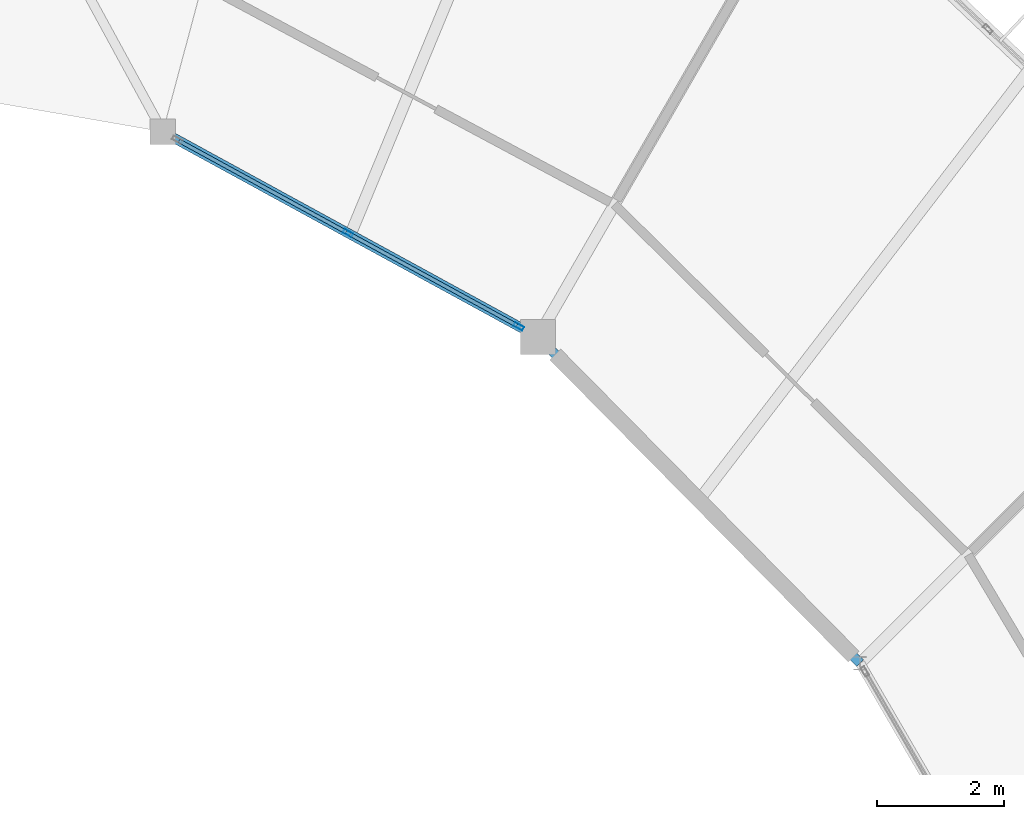
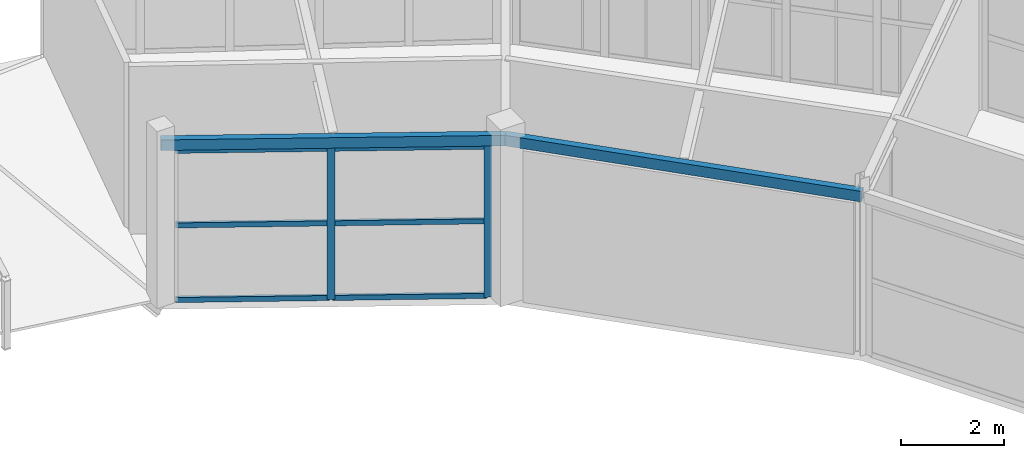
# One storey, part 33 of 66: 8 members, 2 beams, 1 element without a shape of its own.
"""IFC4 building model written with IfcOpenShell, lengths in metres."""

from ifc_helpers import new_model, si_unit, direction, frame, origin, origin_2d, place, context, subcontext, project, spatial, hollow_rectangle, extrude, material, material_profile, profile_set, type_object, element, aggregate, save


model = new_model("IFC4")

# Units and contexts
model_context = context("Model", 3, precision=1e-05, world=origin(), true_north=direction((0.0, 1.0)))
body_context = subcontext(model_context, "Body", "Model", "MODEL_VIEW")
ifc_project = project(units=[si_unit("LENGTHUNIT", "METRE"), si_unit("AREAUNIT", "SQUARE_METRE"), si_unit("VOLUMEUNIT", "CUBIC_METRE"), si_unit("PLANEANGLEUNIT", "RADIAN"), si_unit("MASSUNIT", "GRAM", prefix="KILO")], contexts=[model_context])

# Site, building, storey
site_placement = place(None, origin())
site = spatial("IfcSite", under=ifc_project, at=site_placement, CompositionType="ELEMENT")
building_placement = place(site_placement, origin())
building = spatial("IfcBuilding", under=site, at=building_placement, Name="Karori Crest Natural Sciences Institute", CompositionType="ELEMENT")
storey_placement = place(building_placement, frame((0.0, 0.0, 30.10009765625)))
storey = spatial("IfcBuildingStorey", under=building, at=storey_placement, Name="L07", CompositionType="ELEMENT", Elevation=30.10009765625)

# Beams
ifc_material_1 = material(Name="Hollow structural steel AS/NZS 1163 Grade C350", Category="steel")
ifc_material_profile_1 = material_profile(ifc_material_1, hollow_rectangle(XDim=0.14990234375, YDim=0.25, WallThickness=0.009033203125, at=origin_2d()), Name="RHS250x150x9")
ifc_profile_set_1 = profile_set([ifc_material_profile_1], Name="Hollow structural steel AS/NZS 1163 Grade C350")
beam_type = type_object("IfcBeamType", Name="BT-16", PredefinedType="SPANDREL", material=ifc_profile_set_1)
beam_1_placement = place(storey_placement, frame((83.6533203125, 72.668701171875, 3.739990234375), z_axis=(-0.702645672149, 0.711539921164, 0.0), x_axis=(-0.711539921164, -0.702645672149, 0.0)))
element("IfcBeam", 1, at=beam_1_placement, inside=storey, type_object=beam_type, Name="Beam B-0654", PredefinedType="SPANDREL", context=body_context, shape_type="SweptSolid", body=[
    extrude(hollow_rectangle(XDim=0.14990234375, YDim=0.25, WallThickness=0.009033203125, at=origin_2d()), origin(), (0.0, 0.0, 1.0), 7.191650390625),
])
beam_2_placement = place(storey_placement, frame((78.60009765625, 77.785888671875, 3.739990234375), z_axis=(-0.877469531616, 0.47963238119, 0.0), x_axis=(-0.47963238119, -0.877469531616, 0.0)))
element("IfcBeam", 2, at=beam_2_placement, inside=storey, type_object=beam_type, Name="Beam B-0657", PredefinedType="SPANDREL", context=body_context, shape_type="SweptSolid", body=[
    extrude(hollow_rectangle(XDim=0.14990234375, YDim=0.25, WallThickness=0.009033203125, at=origin_2d()), origin(), (0.0, 0.0, 1.0), 6.706787109375),
])

# Curtain wall, members
ifc_material_2 = material(Name="Anodised architectural aluminium 6063-T6", Category="aluminium")
curtain_wall_type = type_object("IfcCurtainWallType", Name="CWT-15", PredefinedType="NOTDEFINED", material=ifc_material_2)
curtain_wall_placement = place(storey_placement, origin())
curtain_wall = element("IfcCurtainWall", 3, at=curtain_wall_placement, inside=storey, type_object=curtain_wall_type, Name="Curtain wall CW-0250", PredefinedType="NOTDEFINED")
ifc_material_profile_2 = material_profile(ifc_material_2, hollow_rectangle(XDim=0.06494140625, YDim=0.159912109375, WallThickness=0.00390625, at=origin_2d()), Name="CWM160x65x4")
ifc_profile_set_2 = profile_set([ifc_material_profile_2], Name="Anodised architectural aluminium 6063-T6")
member_type_1 = type_object("IfcMemberType", Name="CWM-01", PredefinedType="MULLION", material=ifc_profile_set_2)
member_1_placement = place(storey_placement, frame((78.29833984375, 77.950927734375, 0.0), z_axis=(0.0, 0.0, 1.0), x_axis=(-0.479631017431, -0.877470277057, 0.0)))
member_1 = element("IfcMember", 4, at=member_1_placement, type_object=member_type_1, Name="CW-0250 mullion 1", PredefinedType="MULLION", context=body_context, shape_type="SweptSolid", body=[
    extrude(hollow_rectangle(XDim=0.06494140625, YDim=0.159912109375, WallThickness=0.00390625, at=origin_2d()), origin(), (0.0, 0.0, 1.0), 3.599853515625),
])
member_2_placement = place(storey_placement, frame((75.6201171875, 79.414794921875, 0.0), z_axis=(0.0, 0.0, 1.0), x_axis=(-0.479631017431, -0.877470277057, 0.0)))
member_2 = element("IfcMember", 5, at=member_2_placement, type_object=member_type_1, Name="CW-0250 mullion 2", PredefinedType="MULLION", context=body_context, shape_type="SweptSolid", body=[
    extrude(hollow_rectangle(XDim=0.06494140625, YDim=0.159912109375, WallThickness=0.00390625, at=origin_2d()), origin(), (0.0, 0.0, 1.0), 3.599853515625),
])
ifc_material_profile_3 = material_profile(ifc_material_2, hollow_rectangle(XDim=0.06005859375, YDim=0.1201171875, WallThickness=0.00390625, at=origin_2d()), Name="CWT120x60x4")
ifc_profile_set_3 = profile_set([ifc_material_profile_3], Name="Anodised architectural aluminium 6063-T6")
member_type_2 = type_object("IfcMemberType", Name="CWT-TR1", PredefinedType="USERDEFINED", material=ifc_profile_set_3)
member_3_placement = place(storey_placement, frame((78.269775390625, 77.966552734375, 0.02978515625), z_axis=(-0.877448541585, 0.479670779672, 0.0), x_axis=(-0.479670779672, -0.877448541585, 0.0)))
member_3 = element("IfcMember", 6, at=member_3_placement, type_object=member_type_2, Name="CW-0250 transom 1.1", ObjectType="TRANSOM", PredefinedType="USERDEFINED", context=body_context, shape_type="SweptSolid", body=[
    extrude(hollow_rectangle(XDim=0.06005859375, YDim=0.1201171875, WallThickness=0.00390625, at=origin_2d()), origin(), (0.0, 0.0, 1.0), 2.987060546875),
])
member_4_placement = place(storey_placement, frame((78.269775390625, 77.966552734375, 1.7998046875), z_axis=(-0.877448541585, 0.479670779672, 0.0), x_axis=(-0.479670779672, -0.877448541585, 0.0)))
member_4 = element("IfcMember", 7, at=member_4_placement, type_object=member_type_2, Name="CW-0250 transom 1.2", ObjectType="TRANSOM", PredefinedType="USERDEFINED", context=body_context, shape_type="SweptSolid", body=[
    extrude(hollow_rectangle(XDim=0.06005859375, YDim=0.1201171875, WallThickness=0.00390625, at=origin_2d()), origin(), (0.0, 0.0, 1.0), 2.987060546875),
])
member_5_placement = place(storey_placement, frame((78.269775390625, 77.966552734375, 3.56982421875), z_axis=(-0.877448541585, 0.479670779672, 0.0), x_axis=(-0.479670779672, -0.877448541585, 0.0)))
member_5 = element("IfcMember", 8, at=member_5_placement, type_object=member_type_2, Name="CW-0250 transom 1.3", ObjectType="TRANSOM", PredefinedType="USERDEFINED", context=body_context, shape_type="SweptSolid", body=[
    extrude(hollow_rectangle(XDim=0.06005859375, YDim=0.1201171875, WallThickness=0.00390625, at=origin_2d()), origin(), (0.0, 0.0, 1.0), 2.987060546875),
])
member_6_placement = place(storey_placement, frame((75.591552734375, 79.430419921875, 0.02978515625), z_axis=(-0.877448541585, 0.479670779672, 0.0), x_axis=(-0.479670779672, -0.877448541585, 0.0)))
member_6 = element("IfcMember", 9, at=member_6_placement, type_object=member_type_2, Name="CW-0250 transom 2.1", ObjectType="TRANSOM", PredefinedType="USERDEFINED", context=body_context, shape_type="SweptSolid", body=[
    extrude(hollow_rectangle(XDim=0.06005859375, YDim=0.1201171875, WallThickness=0.00390625, at=origin_2d()), origin(), (0.0, 0.0, 1.0), 2.987060546875),
])
member_7_placement = place(storey_placement, frame((75.591552734375, 79.430419921875, 1.7998046875), z_axis=(-0.877448541585, 0.479670779672, 0.0), x_axis=(-0.479670779672, -0.877448541585, 0.0)))
member_7 = element("IfcMember", 10, at=member_7_placement, type_object=member_type_2, Name="CW-0250 transom 2.2", ObjectType="TRANSOM", PredefinedType="USERDEFINED", context=body_context, shape_type="SweptSolid", body=[
    extrude(hollow_rectangle(XDim=0.06005859375, YDim=0.1201171875, WallThickness=0.00390625, at=origin_2d()), origin(), (0.0, 0.0, 1.0), 2.987060546875),
])
member_8_placement = place(storey_placement, frame((75.591552734375, 79.430419921875, 3.56982421875), z_axis=(-0.877448541585, 0.479670779672, 0.0), x_axis=(-0.479670779672, -0.877448541585, 0.0)))
member_8 = element("IfcMember", 11, at=member_8_placement, type_object=member_type_2, Name="CW-0250 transom 2.3", ObjectType="TRANSOM", PredefinedType="USERDEFINED", context=body_context, shape_type="SweptSolid", body=[
    extrude(hollow_rectangle(XDim=0.06005859375, YDim=0.1201171875, WallThickness=0.00390625, at=origin_2d()), origin(), (0.0, 0.0, 1.0), 2.987060546875),
])
aggregate(curtain_wall, [member_1, member_2, member_3, member_4, member_5, member_6, member_7, member_8])

save(model, "model.ifc")
